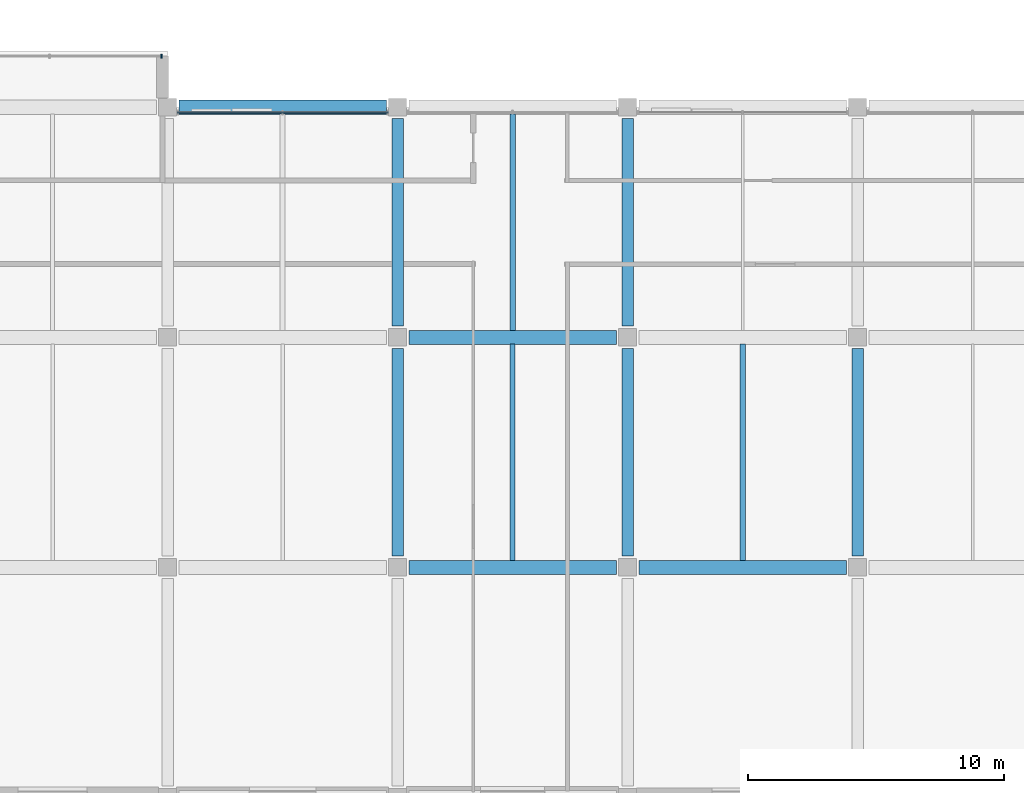
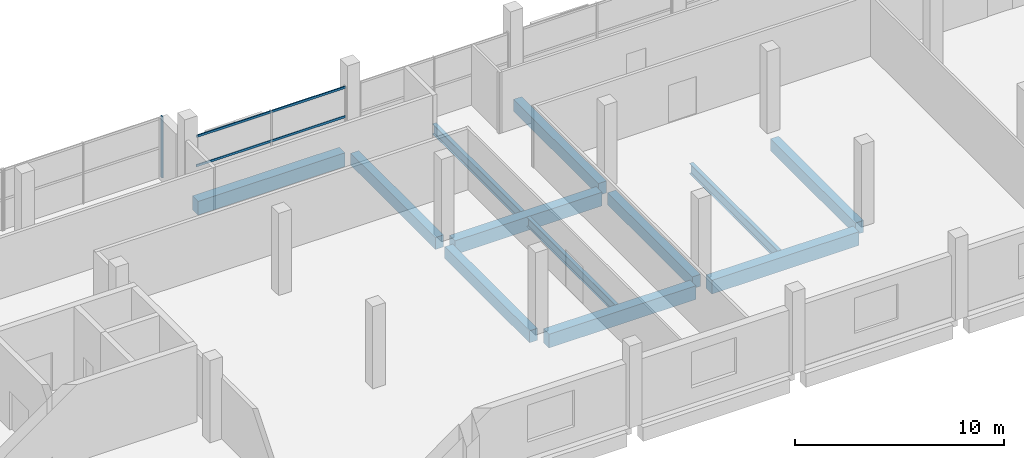
# One storey, part 47 of 111: 12 beams, 3 members, 2 elements without a shape of their own.
"""IFC4 building model written with IfcOpenShell, lengths in metres."""

from ifc_helpers import new_model, si_unit, direction, frame, origin, origin_2d, place, context, subcontext, project, spatial, rectangle, i_section, extrude, material, material_profile, profile_set, type_object, element, aggregate, save


model = new_model("IFC4")

# Units and contexts
model_context = context("Model", 3, precision=1e-05, world=origin(), true_north=direction((0.0, 1.0)))
body_context = subcontext(model_context, "Body", "Model", "MODEL_VIEW")
ifc_project = project(units=[si_unit("LENGTHUNIT", "METRE"), si_unit("AREAUNIT", "SQUARE_METRE"), si_unit("VOLUMEUNIT", "CUBIC_METRE"), si_unit("PLANEANGLEUNIT", "RADIAN"), si_unit("MASSUNIT", "GRAM", prefix="KILO"), si_unit("THERMODYNAMICTEMPERATUREUNIT", "KELVIN"), si_unit("POWERUNIT", "WATT")], contexts=[model_context])

# Site, building, storey
site_placement = place(None, origin())
site = spatial("IfcSite", under=ifc_project, at=site_placement, CompositionType="ELEMENT")
building_placement = place(site_placement, origin())
building = spatial("IfcBuilding", under=site, at=building_placement, Name="Sindhuravela Promenade Stadium", CompositionType="ELEMENT")
storey_placement = place(building_placement, frame((0.0, 0.0, 9.60009765625)))
storey = spatial("IfcBuildingStorey", under=building, at=storey_placement, Name="L02", CompositionType="ELEMENT", Elevation=9.60009765625)

# Curtain wall, member
ifc_material_1 = material(Name="Anodised architectural aluminium 6063-T6", Category="aluminium")
curtain_wall_type_1 = type_object("IfcCurtainWallType", Name="CW-MOD-6", PredefinedType="NOTDEFINED", material=ifc_material_1)
curtain_wall_1_placement = place(storey_placement, origin())
curtain_wall_1 = element("IfcCurtainWall", 1, at=curtain_wall_1_placement, inside=storey, type_object=curtain_wall_type_1, Name="Bronze curtain wall CW-NORTH-L02-157", PredefinedType="NOTDEFINED")
ifc_material_profile_1 = material_profile(ifc_material_1, rectangle(XDim=0.06494140625, YDim=0.14990234375, at=origin_2d()), Name="ALU MULL 65x150")
ifc_profile_set_1 = profile_set([ifc_material_profile_1], Name="Anodised architectural aluminium 6063-T6")
member_type_1 = type_object("IfcMemberType", Name="CW-MUL-2", PredefinedType="MULLION", material=ifc_profile_set_1)
member_1_placement = place(storey_placement, frame((89.7548828125, 155.0, 0.0), z_axis=(0.0, 0.0, 1.0), x_axis=(1.0, 0.0, 0.0)))
member_1 = element("IfcMember", 2, at=member_1_placement, type_object=member_type_1, Name="Curtain wall mullion CW-NORTH-L02-157-M3", PredefinedType="MULLION", context=body_context, shape_type="SweptSolid", body=[
    extrude(rectangle(XDim=0.06494140625, YDim=0.14990234375, at=origin_2d()), origin(), (0.0, 0.0, 1.0), 3.579833984375),
])
aggregate(curtain_wall_1, [member_1])

# Curtain wall, members
curtain_wall_type_2 = type_object("IfcCurtainWallType", Name="CW-MOD-7", PredefinedType="NOTDEFINED", material=ifc_material_1)
curtain_wall_2_placement = place(storey_placement, origin())
curtain_wall_2 = element("IfcCurtainWall", 3, at=curtain_wall_2_placement, inside=storey, type_object=curtain_wall_type_2, Name="Bronze curtain wall CW-NORTH-L02-158", PredefinedType="NOTDEFINED")
ifc_material_profile_2 = material_profile(ifc_material_1, rectangle(XDim=0.06005859375, YDim=0.1298828125, at=origin_2d()), Name="ALU T60x130")
ifc_profile_set_2 = profile_set([ifc_material_profile_2], Name="Anodised architectural aluminium 6063-T6")
member_type_2 = type_object("IfcMemberType", Name="CW-TRN-3", PredefinedType="USERDEFINED", material=ifc_profile_set_2)
member_2_placement = place(storey_placement, frame((90.375, 152.800048828125, 1.789794921875), z_axis=(1.0, 0.0, 0.0), x_axis=(0.0, 1.0, 0.0)))
member_2 = element("IfcMember", 4, at=member_2_placement, type_object=member_type_2, Name="Curtain wall transom CW-NORTH-L02-158-T1", ObjectType="TRANSOM", PredefinedType="USERDEFINED", context=body_context, shape_type="SweptSolid", body=[
    extrude(rectangle(XDim=0.06005859375, YDim=0.1298828125, at=origin_2d()), origin(), (0.0, 0.0, 1.0), 8.25),
])
member_3_placement = place(storey_placement, frame((90.375, 152.800048828125, 3.5), z_axis=(1.0, 0.0, 0.0), x_axis=(0.0, 1.0, 0.0)))
member_3 = element("IfcMember", 5, at=member_3_placement, type_object=member_type_2, Name="Curtain wall transom CW-NORTH-L02-158-T2", ObjectType="TRANSOM", PredefinedType="USERDEFINED", context=body_context, shape_type="SweptSolid", body=[
    extrude(rectangle(XDim=0.06005859375, YDim=0.1298828125, at=origin_2d()), origin(), (0.0, 0.0, 1.0), 8.25),
])
aggregate(curtain_wall_2, [member_2, member_3])

# Beams
ifc_material_2 = material(Name="Concrete M40", Category="concrete")
ifc_material_profile_3 = material_profile(ifc_material_2, rectangle(XDim=0.449951171875, YDim=0.699951171875, at=origin_2d()), Name="RC 450x700")
ifc_profile_set_3 = profile_set([ifc_material_profile_3], Name="Concrete M40")
beam_type_1 = type_object("IfcBeamType", Name="RC-BM-450x700", PredefinedType="BEAM", material=ifc_profile_set_3)
for number, where, z_axis, x_axis, name in (
    (6, (99.0, 135.43994140625, -0.630126953125), (0.0, 1.0, 0.0), (-1.0, 0.0, 0.0), "Primary beam GB07 NORTH L02"),
    (7, (99.0, 144.43994140625, -0.630126953125), (0.0, 1.0, 0.0), (-1.0, 0.0, 0.0), "Primary beam GB07 NORTH L02"),
    (8, (108.0, 135.43994140625, -0.630126953125), (0.0, 1.0, 0.0), (-1.0, 0.0, 0.0), "Primary beam GB07 NORTH L02"),
    (9, (108.0, 144.43994140625, -0.630126953125), (0.0, 1.0, 0.0), (-1.0, 0.0, 0.0), "Primary beam GB07 NORTH L02"),
    (10, (117.0, 135.43994140625, -0.630126953125), (0.0, 1.0, 0.0), (-1.0, 0.0, 0.0), "Primary beam GB07 NORTH L02"),
):
    element("IfcBeam", number, at=place(storey_placement, frame(where, z_axis=z_axis, x_axis=x_axis)), inside=storey, type_object=beam_type_1, Name=name, PredefinedType="BEAM", context=body_context, shape_type="SweptSolid", body=[
        extrude(rectangle(XDim=0.449951171875, YDim=0.699951171875, at=origin_2d()), origin(), (0.0, 0.0, 1.0), 8.1201171875),
    ])
ifc_material_profile_4 = material_profile(ifc_material_2, rectangle(XDim=0.550048828125, YDim=0.800048828125, at=origin_2d()), Name="RC 550x800")
ifc_profile_set_4 = profile_set([ifc_material_profile_4], Name="Concrete M40")
beam_type_2 = type_object("IfcBeamType", Name="RC-BM-550x800", PredefinedType="BEAM", material=ifc_profile_set_4)
for number, where, z_axis, x_axis, name in (
    (11, (99.43994140625, 135.0, -0.68017578125), (1.0, 0.0, 0.0), (0.0, 1.0, 0.0), "Primary girder GB05 NORTH L02"),
    (12, (108.43994140625, 135.0, -0.68017578125), (1.0, 0.0, 0.0), (0.0, 1.0, 0.0), "Primary girder GB05 NORTH L02"),
    (13, (99.43994140625, 144.0, -0.68017578125), (1.0, 0.0, 0.0), (0.0, 1.0, 0.0), "Primary girder GB05 NORTH L02"),
    (14, (90.43994140625, 153.0, -0.68017578125), (1.0, 0.0, 0.0), (0.0, 1.0, 0.0), "Primary girder GB05 NORTH L02"),
):
    element("IfcBeam", number, at=place(storey_placement, frame(where, z_axis=z_axis, x_axis=x_axis)), inside=storey, type_object=beam_type_2, Name=name, PredefinedType="BEAM", context=body_context, shape_type="SweptSolid", body=[
        extrude(rectangle(XDim=0.550048828125, YDim=0.800048828125, at=origin_2d()), origin(), (0.0, 0.0, 1.0), 8.1201171875),
    ])
ifc_material_3 = material(Name="Steel E350 (IS 2062 E350BR)", Category="steel")
ifc_material_profile_5 = material_profile(ifc_material_3, i_section(OverallWidth=0.18994140625, OverallDepth=0.550048828125, WebThickness=0.01123046875, FlangeThickness=0.019287109375, FilletRadius=0.01806640625, at=origin_2d()), Name="ISMB 550")
ifc_profile_set_5 = profile_set([ifc_material_profile_5], Name="Steel E350 (IS 2062 E350BR)")
beam_type_3 = type_object("IfcBeamType", Name="ST-BM-MB550", PredefinedType="SPANDREL", material=ifc_profile_set_5)
beam_placement = place(storey_placement, frame((103.5, 135.264892578125, -0.55517578125), z_axis=(0.0, 1.0, 0.0), x_axis=(-1.0, 0.0, 0.0)))
element("IfcBeam", 15, at=beam_placement, inside=storey, type_object=beam_type_3, Name="Secondary floor joist SB08 NORTH L02", PredefinedType="SPANDREL", context=body_context, shape_type="SweptSolid", body=[
    extrude(i_section(OverallWidth=0.18994140625, OverallDepth=0.550048828125, WebThickness=0.01123046875, FlangeThickness=0.019287109375, FilletRadius=0.01806640625, at=origin_2d()), origin(), (0.0, 0.0, 1.0), 8.47021484375),
])
ifc_material_profile_6 = material_profile(ifc_material_3, i_section(OverallWidth=0.2099609375, OverallDepth=0.60009765625, WebThickness=0.011962890625, FlangeThickness=0.020751953125, FilletRadius=0.02001953125, at=origin_2d()), Name="ISMB 600")
ifc_profile_set_6 = profile_set([ifc_material_profile_6], Name="Steel E350 (IS 2062 E350BR)")
beam_type_4 = type_object("IfcBeamType", Name="ST-BM-MB600", PredefinedType="BEAM", material=ifc_profile_set_6)
for number, where, z_axis, x_axis, name in (
    (16, (112.5, 135.264892578125, -0.580078125), (0.0, 1.0, 0.0), (-1.0, 0.0, 0.0), "Secondary floor joist SB09 NORTH L02"),
    (17, (103.5, 144.264892578125, -0.580078125), (0.0, 1.0, 0.0), (-1.0, 0.0, 0.0), "Secondary floor joist SB09 NORTH L02"),
):
    element("IfcBeam", number, at=place(storey_placement, frame(where, z_axis=z_axis, x_axis=x_axis)), inside=storey, type_object=beam_type_4, Name=name, PredefinedType="BEAM", context=body_context, shape_type="SweptSolid", body=[
        extrude(i_section(OverallWidth=0.2099609375, OverallDepth=0.60009765625, WebThickness=0.011962890625, FlangeThickness=0.020751953125, FilletRadius=0.02001953125, at=origin_2d()), origin(), (0.0, 0.0, 1.0), 8.47021484375),
    ])

save(model, "model.ifc")
